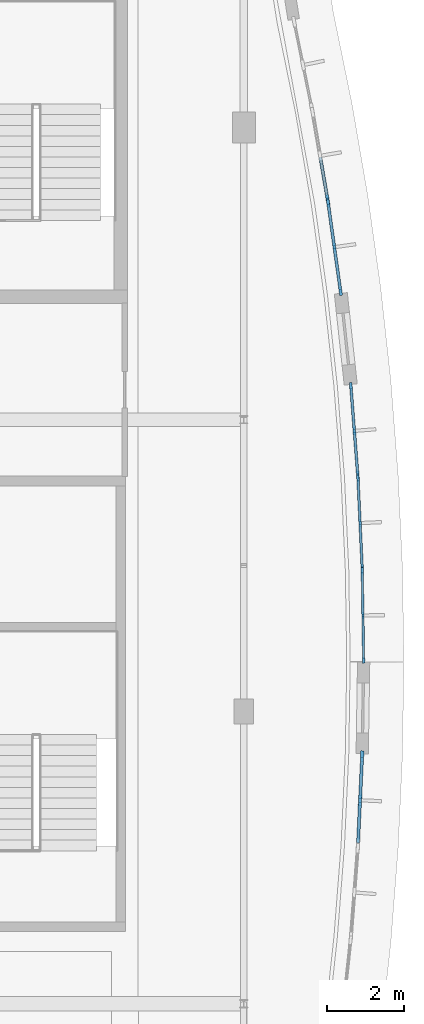
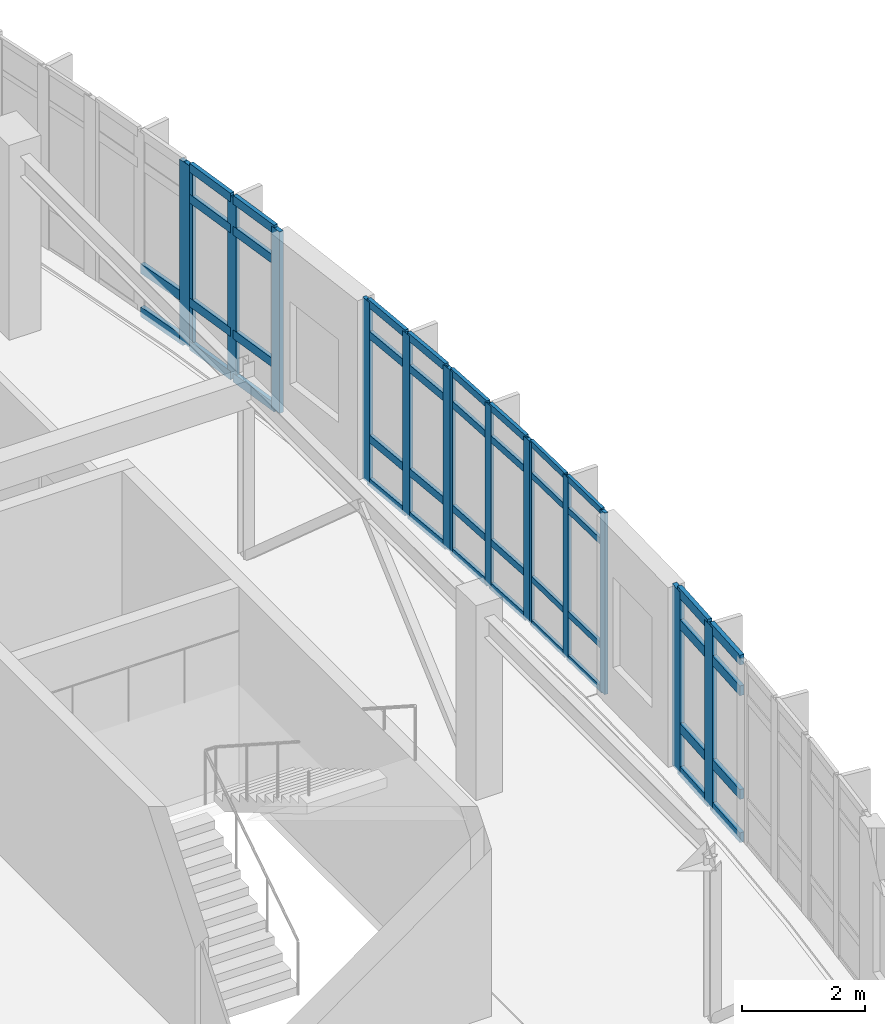
# One storey, part 53 of 111: 57 members, 6 elements without a shape of their own.
"""IFC4 building model written with IfcOpenShell, lengths in metres."""

from ifc_helpers import new_model, si_unit, direction, frame, origin, origin_2d, place, context, subcontext, project, spatial, rectangle, extrude, material, material_profile, profile_set, type_object, element, aggregate, save


model = new_model("IFC4")

# Units and contexts
model_context = context("Model", 3, precision=1e-05, world=origin(), true_north=direction((0.0, 1.0)))
body_context = subcontext(model_context, "Body", "Model", "MODEL_VIEW")
ifc_project = project(units=[si_unit("LENGTHUNIT", "METRE"), si_unit("AREAUNIT", "SQUARE_METRE"), si_unit("VOLUMEUNIT", "CUBIC_METRE"), si_unit("PLANEANGLEUNIT", "RADIAN"), si_unit("MASSUNIT", "GRAM", prefix="KILO")], contexts=[model_context])

# Site, building, storey
site_placement = place(None, origin())
site = spatial("IfcSite", under=ifc_project, at=site_placement, CompositionType="ELEMENT")
building_placement = place(site_placement, origin())
building = spatial("IfcBuilding", under=site, at=building_placement, Name="Corveleigh Park Community Centre", CompositionType="ELEMENT")
storey_placement = place(building_placement, frame((0.0, 0.0, 4.800048828125)))
storey = spatial("IfcBuildingStorey", under=building, at=storey_placement, Name="L01", CompositionType="ELEMENT", Elevation=4.800048828125)

# Curtain wall, members
ifc_material = material(Name="Anodised aluminium 6063-T6", Category="aluminium")
curtain_wall_type = type_object("IfcCurtainWallType", Name="CW-SYS-V4-L01", PredefinedType="NOTDEFINED", material=ifc_material)
curtain_wall_1_placement = place(storey_placement, origin())
curtain_wall_1 = element("IfcCurtainWall", 1, at=curtain_wall_1_placement, inside=storey, type_object=curtain_wall_type, Name="V4 L01 Curtain Wall 271", PredefinedType="NOTDEFINED")
ifc_material_profile_1 = material_profile(ifc_material, rectangle(XDim=0.06005859375, YDim=0.159912109375, at=origin_2d()), Name="ALU-M60x160", Category="aluminium")
ifc_profile_set_1 = profile_set([ifc_material_profile_1], Name="Anodised aluminium 6063-T6")
member_type_1 = type_object("IfcMemberType", Name="CWM-60x160", PredefinedType="MULLION", material=ifc_profile_set_1)
member_1_placement = place(storey_placement, frame((171.4814453125, 85.06494140625, 0.0), z_axis=(0.0, 0.0, 1.0), x_axis=(0.999879786219, 0.015505260721, 0.0)))
member_1 = element("IfcMember", 2, at=member_1_placement, type_object=member_type_1, Name="CW08 mullion 1", PredefinedType="MULLION", context=body_context, shape_type="SweptSolid", body=[
    extrude(rectangle(XDim=0.06005859375, YDim=0.159912109375, at=origin_2d()), origin(), (0.0, 0.0, 1.0), 3.612060546875),
])
member_2_placement = place(storey_placement, frame((171.49951171875, 83.902099609375, 0.0), z_axis=(0.0, 0.0, 1.0), x_axis=(0.999879786219, 0.015505260721, 0.0)))
member_2 = element("IfcMember", 3, at=member_2_placement, type_object=member_type_1, Name="CW08 mullion 2", PredefinedType="MULLION", context=body_context, shape_type="SweptSolid", body=[
    extrude(rectangle(XDim=0.06005859375, YDim=0.159912109375, at=origin_2d()), origin(), (0.0, 0.0, 1.0), 3.612060546875),
])
member_3_placement = place(storey_placement, frame((171.517578125, 82.739013671875, 0.0), z_axis=(0.0, 0.0, 1.0), x_axis=(0.999879786219, 0.015505260721, 0.0)))
member_3 = element("IfcMember", 4, at=member_3_placement, type_object=member_type_1, Name="CW08 mullion 3", PredefinedType="MULLION", context=body_context, shape_type="SweptSolid", body=[
    extrude(rectangle(XDim=0.06005859375, YDim=0.159912109375, at=origin_2d()), origin(), (0.0, 0.0, 1.0), 3.612060546875),
])

curtain_wall_2_placement = place(storey_placement, origin())
curtain_wall_2 = element("IfcCurtainWall", 5, at=curtain_wall_2_placement, inside=storey, type_object=curtain_wall_type, Name="V4 L01 Curtain Wall 272", PredefinedType="NOTDEFINED")
ifc_material_profile_2 = material_profile(ifc_material, rectangle(XDim=0.06494140625, YDim=0.179931640625, at=origin_2d()), Name="ALU-M65x180", Category="aluminium")
ifc_profile_set_2 = profile_set([ifc_material_profile_2], Name="Anodised aluminium 6063-T6")
member_type_2 = type_object("IfcMemberType", Name="CWM-65x180", PredefinedType="MULLION", material=ifc_profile_set_2)
member_4_placement = place(storey_placement, frame((171.37060546875, 87.464599609375, 0.0), z_axis=(0.0, 0.0, 1.0), x_axis=(0.9988982695, 0.046928106618, 0.0)))
member_4 = element("IfcMember", 6, at=member_4_placement, type_object=member_type_2, Name="CW08 mullion 1", PredefinedType="MULLION", context=body_context, shape_type="SweptSolid", body=[
    extrude(rectangle(XDim=0.06494140625, YDim=0.179931640625, at=origin_2d()), origin(), (0.0, 0.0, 1.0), 3.612060546875),
])
member_5_placement = place(storey_placement, frame((171.425048828125, 86.304931640625, 0.0), z_axis=(0.0, 0.0, 1.0), x_axis=(0.9988982695, 0.046928106618, 0.0)))
member_5 = element("IfcMember", 7, at=member_5_placement, type_object=member_type_2, Name="CW08 mullion 2", PredefinedType="MULLION", context=body_context, shape_type="SweptSolid", body=[
    extrude(rectangle(XDim=0.06494140625, YDim=0.179931640625, at=origin_2d()), origin(), (0.0, 0.0, 1.0), 3.612060546875),
])
member_6_placement = place(storey_placement, frame((171.4794921875, 85.1455078125, 0.0), z_axis=(0.0, 0.0, 1.0), x_axis=(0.9988982695, 0.046928106618, 0.0)))
member_6 = element("IfcMember", 8, at=member_6_placement, type_object=member_type_2, Name="CW08 mullion 3", PredefinedType="MULLION", context=body_context, shape_type="SweptSolid", body=[
    extrude(rectangle(XDim=0.06494140625, YDim=0.179931640625, at=origin_2d()), origin(), (0.0, 0.0, 1.0), 3.612060546875),
])

curtain_wall_3_placement = place(storey_placement, origin())
curtain_wall_3 = element("IfcCurtainWall", 9, at=curtain_wall_3_placement, inside=storey, type_object=curtain_wall_type, Name="V4 L01 Curtain Wall 273", PredefinedType="NOTDEFINED")
ifc_material_profile_3 = material_profile(ifc_material, rectangle(XDim=0.070068359375, YDim=0.199951171875, at=origin_2d()), Name="ALU-M70x200", Category="aluminium")
ifc_profile_set_3 = profile_set([ifc_material_profile_3], Name="Anodised aluminium 6063-T6")
member_type_3 = type_object("IfcMemberType", Name="CWM-70x200", PredefinedType="MULLION", material=ifc_profile_set_3)
member_7_placement = place(storey_placement, frame((171.186767578125, 89.859130859375, 0.0), z_axis=(0.0, 0.0, 1.0), x_axis=(0.997022350164, 0.077113119982, 0.0)))
member_7 = element("IfcMember", 10, at=member_7_placement, type_object=member_type_3, Name="CW08 mullion 1", PredefinedType="MULLION", context=body_context, shape_type="SweptSolid", body=[
    extrude(rectangle(XDim=0.070068359375, YDim=0.199951171875, at=origin_2d()), origin(), (0.0, 0.0, 1.0), 3.612060546875),
])
member_8_placement = place(storey_placement, frame((171.27587890625, 88.70458984375, 0.0), z_axis=(0.0, 0.0, 1.0), x_axis=(0.997022350164, 0.077113119982, 0.0)))
member_8 = element("IfcMember", 11, at=member_8_placement, type_object=member_type_3, Name="CW08 mullion 2", PredefinedType="MULLION", context=body_context, shape_type="SweptSolid", body=[
    extrude(rectangle(XDim=0.070068359375, YDim=0.199951171875, at=origin_2d()), origin(), (0.0, 0.0, 1.0), 3.612060546875),
])
member_9_placement = place(storey_placement, frame((171.365234375, 87.5498046875, 0.0), z_axis=(0.0, 0.0, 1.0), x_axis=(0.997022350164, 0.077113119982, 0.0)))
member_9 = element("IfcMember", 12, at=member_9_placement, type_object=member_type_3, Name="CW08 mullion 3", PredefinedType="MULLION", context=body_context, shape_type="SweptSolid", body=[
    extrude(rectangle(XDim=0.070068359375, YDim=0.199951171875, at=origin_2d()), origin(), (0.0, 0.0, 1.0), 3.612060546875),
])

curtain_wall_4_placement = place(storey_placement, origin())
curtain_wall_4 = element("IfcCurtainWall", 13, at=curtain_wall_4_placement, inside=storey, type_object=curtain_wall_type, Name="V4 L01 Curtain Wall 274", PredefinedType="NOTDEFINED")
ifc_material_profile_4 = material_profile(ifc_material, rectangle(XDim=0.074951171875, YDim=0.219970703125, at=origin_2d()), Name="ALU-M75x220", Category="aluminium")
ifc_profile_set_4 = profile_set([ifc_material_profile_4], Name="Anodised aluminium 6063-T6")
member_type_4 = type_object("IfcMemberType", Name="CWM-75x220", PredefinedType="MULLION", material=ifc_profile_set_4)
member_10_placement = place(storey_placement, frame((170.59521484375, 94.62890625, 0.0), z_axis=(0.0, 0.0, 1.0), x_axis=(0.990281834984, 0.139075113882, 0.0)))
member_10 = element("IfcMember", 14, at=member_10_placement, type_object=member_type_4, Name="CW08 mullion 1", PredefinedType="MULLION", context=body_context, shape_type="SweptSolid", body=[
    extrude(rectangle(XDim=0.074951171875, YDim=0.219970703125, at=origin_2d()), origin(), (0.0, 0.0, 1.0), 3.612060546875),
])
member_11_placement = place(storey_placement, frame((170.756103515625, 93.48388671875, 0.0), z_axis=(0.0, 0.0, 1.0), x_axis=(0.990281834984, 0.139075113882, 0.0)))
member_11 = element("IfcMember", 15, at=member_11_placement, type_object=member_type_4, Name="CW08 mullion 2", PredefinedType="MULLION", context=body_context, shape_type="SweptSolid", body=[
    extrude(rectangle(XDim=0.074951171875, YDim=0.219970703125, at=origin_2d()), origin(), (0.0, 0.0, 1.0), 3.612060546875),
])
member_12_placement = place(storey_placement, frame((170.916748046875, 92.339111328125, 0.0), z_axis=(0.0, 0.0, 1.0), x_axis=(0.990281834984, 0.139075113882, 0.0)))
member_12 = element("IfcMember", 16, at=member_12_placement, type_object=member_type_4, Name="CW08 mullion 3", PredefinedType="MULLION", context=body_context, shape_type="SweptSolid", body=[
    extrude(rectangle(XDim=0.074951171875, YDim=0.219970703125, at=origin_2d()), origin(), (0.0, 0.0, 1.0), 3.612060546875),
])

# Curtain wall, member
curtain_wall_5_placement = place(storey_placement, origin())
curtain_wall_5 = element("IfcCurtainWall", 17, at=curtain_wall_5_placement, inside=storey, type_object=curtain_wall_type, Name="V4 L01 Curtain Wall 275", PredefinedType="NOTDEFINED")
ifc_material_profile_5 = material_profile(ifc_material, rectangle(XDim=0.080078125, YDim=0.25, at=origin_2d()), Name="ALU-M80x250", Category="aluminium")
ifc_profile_set_5 = profile_set([ifc_material_profile_5], Name="Anodised aluminium 6063-T6")
member_type_5 = type_object("IfcMemberType", Name="CWM-80x250", PredefinedType="MULLION", material=ifc_profile_set_5)
member_13_placement = place(storey_placement, frame((170.580322265625, 94.723388671875, 0.0), z_axis=(0.0, 0.0, 1.0), x_axis=(0.985554357724, 0.16935940473, 0.0)))
member_13 = element("IfcMember", 18, at=member_13_placement, type_object=member_type_5, Name="CW08 mullion 3", PredefinedType="MULLION", context=body_context, shape_type="SweptSolid", body=[
    extrude(rectangle(XDim=0.080078125, YDim=0.25, at=origin_2d()), origin(), (0.0, 0.0, 1.0), 3.612060546875),
])

# Curtain wall, members
curtain_wall_6_placement = place(storey_placement, origin())
curtain_wall_6 = element("IfcCurtainWall", 19, at=curtain_wall_6_placement, inside=storey, type_object=curtain_wall_type, Name="V4 L01 Curtain Wall 270", PredefinedType="NOTDEFINED")
ifc_material_profile_6 = material_profile(ifc_material, rectangle(XDim=0.0849609375, YDim=0.27490234375, at=origin_2d()), Name="ALU-M85x275", Category="aluminium")
ifc_profile_set_6 = profile_set([ifc_material_profile_6], Name="Anodised aluminium 6063-T6")
member_type_6 = type_object("IfcMemberType", Name="CWM-85x275", PredefinedType="MULLION", material=ifc_profile_set_6)
member_14_placement = place(storey_placement, frame((171.47900390625, 80.24462890625, 0.0), z_axis=(0.0, 0.0, 1.0), x_axis=(0.9988982695, -0.046928106618, 0.0)))
member_14 = element("IfcMember", 20, at=member_14_placement, type_object=member_type_6, Name="CW08 mullion 1", PredefinedType="MULLION", context=body_context, shape_type="SweptSolid", body=[
    extrude(rectangle(XDim=0.0849609375, YDim=0.27490234375, at=origin_2d()), origin(), (0.0, 0.0, 1.0), 3.612060546875),
])
member_15_placement = place(storey_placement, frame((171.425048828125, 79.094970703125, 0.0), z_axis=(0.0, 0.0, 1.0), x_axis=(0.9988982695, -0.046928106618, 0.0)))
member_15 = element("IfcMember", 21, at=member_15_placement, type_object=member_type_6, Name="CW08 mullion 2", PredefinedType="MULLION", context=body_context, shape_type="SweptSolid", body=[
    extrude(rectangle(XDim=0.0849609375, YDim=0.27490234375, at=origin_2d()), origin(), (0.0, 0.0, 1.0), 3.612060546875),
])

# Member
ifc_material_profile_7 = material_profile(ifc_material, rectangle(XDim=0.06005859375, YDim=0.1201171875, at=origin_2d()), Name="ALU-T60x120", Category="aluminium")
ifc_profile_set_7 = profile_set([ifc_material_profile_7], Name="Anodised aluminium 6063-T6")
member_type_7 = type_object("IfcMemberType", Name="CWT-60x120", PredefinedType="USERDEFINED", material=ifc_profile_set_7)
member_16_placement = place(storey_placement, frame((171.48193359375, 85.034912109375, 0.030029296875), z_axis=(0.01549172194, -0.999879996075, 0.0), x_axis=(0.999879996075, 0.01549172194, 0.0)))
member_16 = element("IfcMember", 22, at=member_16_placement, type_object=member_type_7, Name="CW08 transom 1.1", ObjectType="TRANSOM", PredefinedType="USERDEFINED", context=body_context, shape_type="SweptSolid", body=[
    extrude(rectangle(XDim=0.06005859375, YDim=0.1201171875, at=origin_2d()), origin(), (0.0, 0.0, 1.0), 1.103271484375),
])

member_17_placement = place(storey_placement, frame((171.48193359375, 85.034912109375, 0.89990234375), z_axis=(0.01549172194, -0.999879996075, 0.0), x_axis=(0.999879996075, 0.01549172194, 0.0)))
member_17 = element("IfcMember", 23, at=member_17_placement, type_object=member_type_7, Name="CW08 transom 1.2", ObjectType="TRANSOM", PredefinedType="USERDEFINED", context=body_context, shape_type="SweptSolid", body=[
    extrude(rectangle(XDim=0.06005859375, YDim=0.1201171875, at=origin_2d()), origin(), (0.0, 0.0, 1.0), 1.103271484375),
])

member_18_placement = place(storey_placement, frame((171.48193359375, 85.034912109375, 2.9619140625), z_axis=(0.01549172194, -0.999879996075, 0.0), x_axis=(0.999879996075, 0.01549172194, 0.0)))
member_18 = element("IfcMember", 24, at=member_18_placement, type_object=member_type_7, Name="CW08 transom 1.3", ObjectType="TRANSOM", PredefinedType="USERDEFINED", context=body_context, shape_type="SweptSolid", body=[
    extrude(rectangle(XDim=0.06005859375, YDim=0.1201171875, at=origin_2d()), origin(), (0.0, 0.0, 1.0), 1.103271484375),
])

member_19_placement = place(storey_placement, frame((171.48193359375, 85.034912109375, 3.58203125), z_axis=(0.01549172194, -0.999879996075, 0.0), x_axis=(0.999879996075, 0.01549172194, 0.0)))
member_19 = element("IfcMember", 25, at=member_19_placement, type_object=member_type_7, Name="CW08 transom 1.4", ObjectType="TRANSOM", PredefinedType="USERDEFINED", context=body_context, shape_type="SweptSolid", body=[
    extrude(rectangle(XDim=0.06005859375, YDim=0.1201171875, at=origin_2d()), origin(), (0.0, 0.0, 1.0), 1.103271484375),
])

member_20_placement = place(storey_placement, frame((171.5, 83.8720703125, 0.030029296875), z_axis=(0.01549172194, -0.999879996075, 0.0), x_axis=(0.999879996075, 0.01549172194, 0.0)))
member_20 = element("IfcMember", 26, at=member_20_placement, type_object=member_type_7, Name="CW08 transom 2.1", ObjectType="TRANSOM", PredefinedType="USERDEFINED", context=body_context, shape_type="SweptSolid", body=[
    extrude(rectangle(XDim=0.06005859375, YDim=0.1201171875, at=origin_2d()), origin(), (0.0, 0.0, 1.0), 1.103271484375),
])

member_21_placement = place(storey_placement, frame((171.5, 83.8720703125, 0.89990234375), z_axis=(0.01549172194, -0.999879996075, 0.0), x_axis=(0.999879996075, 0.01549172194, 0.0)))
member_21 = element("IfcMember", 27, at=member_21_placement, type_object=member_type_7, Name="CW08 transom 2.2", ObjectType="TRANSOM", PredefinedType="USERDEFINED", context=body_context, shape_type="SweptSolid", body=[
    extrude(rectangle(XDim=0.06005859375, YDim=0.1201171875, at=origin_2d()), origin(), (0.0, 0.0, 1.0), 1.103271484375),
])

member_22_placement = place(storey_placement, frame((171.5, 83.8720703125, 2.9619140625), z_axis=(0.01549172194, -0.999879996075, 0.0), x_axis=(0.999879996075, 0.01549172194, 0.0)))
member_22 = element("IfcMember", 28, at=member_22_placement, type_object=member_type_7, Name="CW08 transom 2.3", ObjectType="TRANSOM", PredefinedType="USERDEFINED", context=body_context, shape_type="SweptSolid", body=[
    extrude(rectangle(XDim=0.06005859375, YDim=0.1201171875, at=origin_2d()), origin(), (0.0, 0.0, 1.0), 1.103271484375),
])

member_23_placement = place(storey_placement, frame((171.5, 83.8720703125, 3.58203125), z_axis=(0.01549172194, -0.999879996075, 0.0), x_axis=(0.999879996075, 0.01549172194, 0.0)))
member_23 = element("IfcMember", 29, at=member_23_placement, type_object=member_type_7, Name="CW08 transom 2.4", ObjectType="TRANSOM", PredefinedType="USERDEFINED", context=body_context, shape_type="SweptSolid", body=[
    extrude(rectangle(XDim=0.06005859375, YDim=0.1201171875, at=origin_2d()), origin(), (0.0, 0.0, 1.0), 1.103271484375),
])

aggregate(curtain_wall_1, [member_1, member_2, member_3, member_16, member_17, member_18, member_19, member_20, member_21, member_22, member_23])

ifc_material_profile_8 = material_profile(ifc_material, rectangle(XDim=0.06494140625, YDim=0.139892578125, at=origin_2d()), Name="ALU-T65x140", Category="aluminium")
ifc_profile_set_8 = profile_set([ifc_material_profile_8], Name="Anodised aluminium 6063-T6")
member_type_8 = type_object("IfcMemberType", Name="CWT-65x140", PredefinedType="USERDEFINED", material=ifc_profile_set_8)
member_24_placement = place(storey_placement, frame((171.3720703125, 87.43212890625, 0.032470703125), z_axis=(0.047004188241, -0.998894692291, 0.0), x_axis=(0.998894692291, 0.047004188241, 0.0)))
member_24 = element("IfcMember", 30, at=member_24_placement, type_object=member_type_8, Name="CW08 transom 1.1", ObjectType="TRANSOM", PredefinedType="USERDEFINED", context=body_context, shape_type="SweptSolid", body=[
    extrude(rectangle(XDim=0.06494140625, YDim=0.139892578125, at=origin_2d()), origin(), (0.0, 0.0, 1.0), 1.095947265625),
])

member_25_placement = place(storey_placement, frame((171.3720703125, 87.43212890625, 0.89990234375), z_axis=(0.047004188241, -0.998894692291, 0.0), x_axis=(0.998894692291, 0.047004188241, 0.0)))
member_25 = element("IfcMember", 31, at=member_25_placement, type_object=member_type_8, Name="CW08 transom 1.2", ObjectType="TRANSOM", PredefinedType="USERDEFINED", context=body_context, shape_type="SweptSolid", body=[
    extrude(rectangle(XDim=0.06494140625, YDim=0.139892578125, at=origin_2d()), origin(), (0.0, 0.0, 1.0), 1.095947265625),
])

member_26_placement = place(storey_placement, frame((171.3720703125, 87.43212890625, 2.9619140625), z_axis=(0.047004188241, -0.998894692291, 0.0), x_axis=(0.998894692291, 0.047004188241, 0.0)))
member_26 = element("IfcMember", 32, at=member_26_placement, type_object=member_type_8, Name="CW08 transom 1.3", ObjectType="TRANSOM", PredefinedType="USERDEFINED", context=body_context, shape_type="SweptSolid", body=[
    extrude(rectangle(XDim=0.06494140625, YDim=0.139892578125, at=origin_2d()), origin(), (0.0, 0.0, 1.0), 1.095947265625),
])

member_27_placement = place(storey_placement, frame((171.3720703125, 87.43212890625, 3.579345703125), z_axis=(0.047004188241, -0.998894692291, 0.0), x_axis=(0.998894692291, 0.047004188241, 0.0)))
member_27 = element("IfcMember", 33, at=member_27_placement, type_object=member_type_8, Name="CW08 transom 1.4", ObjectType="TRANSOM", PredefinedType="USERDEFINED", context=body_context, shape_type="SweptSolid", body=[
    extrude(rectangle(XDim=0.06494140625, YDim=0.139892578125, at=origin_2d()), origin(), (0.0, 0.0, 1.0), 1.095947265625),
])

member_28_placement = place(storey_placement, frame((171.426513671875, 86.2724609375, 0.032470703125), z_axis=(0.047014650053, -0.998894199943, 0.0), x_axis=(0.998894199943, 0.047014650053, 0.0)))
member_28 = element("IfcMember", 34, at=member_28_placement, type_object=member_type_8, Name="CW08 transom 2.1", ObjectType="TRANSOM", PredefinedType="USERDEFINED", context=body_context, shape_type="SweptSolid", body=[
    extrude(rectangle(XDim=0.06494140625, YDim=0.139892578125, at=origin_2d()), origin(), (0.0, 0.0, 1.0), 1.095703125),
])

member_29_placement = place(storey_placement, frame((171.426513671875, 86.2724609375, 0.89990234375), z_axis=(0.047014650053, -0.998894199943, 0.0), x_axis=(0.998894199943, 0.047014650053, 0.0)))
member_29 = element("IfcMember", 35, at=member_29_placement, type_object=member_type_8, Name="CW08 transom 2.2", ObjectType="TRANSOM", PredefinedType="USERDEFINED", context=body_context, shape_type="SweptSolid", body=[
    extrude(rectangle(XDim=0.06494140625, YDim=0.139892578125, at=origin_2d()), origin(), (0.0, 0.0, 1.0), 1.095703125),
])

member_30_placement = place(storey_placement, frame((171.426513671875, 86.2724609375, 2.9619140625), z_axis=(0.047014650053, -0.998894199943, 0.0), x_axis=(0.998894199943, 0.047014650053, 0.0)))
member_30 = element("IfcMember", 36, at=member_30_placement, type_object=member_type_8, Name="CW08 transom 2.3", ObjectType="TRANSOM", PredefinedType="USERDEFINED", context=body_context, shape_type="SweptSolid", body=[
    extrude(rectangle(XDim=0.06494140625, YDim=0.139892578125, at=origin_2d()), origin(), (0.0, 0.0, 1.0), 1.095703125),
])

member_31_placement = place(storey_placement, frame((171.426513671875, 86.2724609375, 3.579345703125), z_axis=(0.047014650053, -0.998894199943, 0.0), x_axis=(0.998894199943, 0.047014650053, 0.0)))
member_31 = element("IfcMember", 37, at=member_31_placement, type_object=member_type_8, Name="CW08 transom 2.4", ObjectType="TRANSOM", PredefinedType="USERDEFINED", context=body_context, shape_type="SweptSolid", body=[
    extrude(rectangle(XDim=0.06494140625, YDim=0.139892578125, at=origin_2d()), origin(), (0.0, 0.0, 1.0), 1.095703125),
])

aggregate(curtain_wall_2, [member_4, member_5, member_6, member_24, member_25, member_26, member_27, member_28, member_29, member_30, member_31])

ifc_material_profile_9 = material_profile(ifc_material, rectangle(XDim=0.070068359375, YDim=0.155029296875, at=origin_2d()), Name="ALU-T70x155", Category="aluminium")
ifc_profile_set_9 = profile_set([ifc_material_profile_9], Name="Anodised aluminium 6063-T6")
member_type_9 = type_object("IfcMemberType", Name="CWT-70x155", PredefinedType="USERDEFINED", material=ifc_profile_set_9)
member_32_placement = place(storey_placement, frame((171.189453125, 89.82421875, 0.034912109375), z_axis=(0.076971062621, -0.997033327186, 0.0), x_axis=(0.997033327186, 0.076971062621, 0.0)))
member_32 = element("IfcMember", 38, at=member_32_placement, type_object=member_type_9, Name="CW08 transom 1.1", ObjectType="TRANSOM", PredefinedType="USERDEFINED", context=body_context, shape_type="SweptSolid", body=[
    extrude(rectangle(XDim=0.070068359375, YDim=0.155029296875, at=origin_2d()), origin(), (0.0, 0.0, 1.0), 1.087890625),
])

member_33_placement = place(storey_placement, frame((171.189453125, 89.82421875, 0.89990234375), z_axis=(0.076971062621, -0.997033327186, 0.0), x_axis=(0.997033327186, 0.076971062621, 0.0)))
member_33 = element("IfcMember", 39, at=member_33_placement, type_object=member_type_9, Name="CW08 transom 1.2", ObjectType="TRANSOM", PredefinedType="USERDEFINED", context=body_context, shape_type="SweptSolid", body=[
    extrude(rectangle(XDim=0.070068359375, YDim=0.155029296875, at=origin_2d()), origin(), (0.0, 0.0, 1.0), 1.087890625),
])

member_34_placement = place(storey_placement, frame((171.189453125, 89.82421875, 2.9619140625), z_axis=(0.076971062621, -0.997033327186, 0.0), x_axis=(0.997033327186, 0.076971062621, 0.0)))
member_34 = element("IfcMember", 40, at=member_34_placement, type_object=member_type_9, Name="CW08 transom 1.3", ObjectType="TRANSOM", PredefinedType="USERDEFINED", context=body_context, shape_type="SweptSolid", body=[
    extrude(rectangle(XDim=0.070068359375, YDim=0.155029296875, at=origin_2d()), origin(), (0.0, 0.0, 1.0), 1.087890625),
])

member_35_placement = place(storey_placement, frame((171.189453125, 89.82421875, 3.576904296875), z_axis=(0.076971062621, -0.997033327186, 0.0), x_axis=(0.997033327186, 0.076971062621, 0.0)))
member_35 = element("IfcMember", 41, at=member_35_placement, type_object=member_type_9, Name="CW08 transom 1.4", ObjectType="TRANSOM", PredefinedType="USERDEFINED", context=body_context, shape_type="SweptSolid", body=[
    extrude(rectangle(XDim=0.070068359375, YDim=0.155029296875, at=origin_2d()), origin(), (0.0, 0.0, 1.0), 1.087890625),
])

member_36_placement = place(storey_placement, frame((171.27880859375, 88.669677734375, 0.034912109375), z_axis=(0.07695384498, -0.99703465624, 0.0), x_axis=(0.99703465624, 0.07695384498, 0.0)))
member_36 = element("IfcMember", 42, at=member_36_placement, type_object=member_type_9, Name="CW08 transom 2.1", ObjectType="TRANSOM", PredefinedType="USERDEFINED", context=body_context, shape_type="SweptSolid", body=[
    extrude(rectangle(XDim=0.070068359375, YDim=0.155029296875, at=origin_2d()), origin(), (0.0, 0.0, 1.0), 1.088134765625),
])

member_37_placement = place(storey_placement, frame((171.27880859375, 88.669677734375, 0.89990234375), z_axis=(0.07695384498, -0.99703465624, 0.0), x_axis=(0.99703465624, 0.07695384498, 0.0)))
member_37 = element("IfcMember", 43, at=member_37_placement, type_object=member_type_9, Name="CW08 transom 2.2", ObjectType="TRANSOM", PredefinedType="USERDEFINED", context=body_context, shape_type="SweptSolid", body=[
    extrude(rectangle(XDim=0.070068359375, YDim=0.155029296875, at=origin_2d()), origin(), (0.0, 0.0, 1.0), 1.088134765625),
])

member_38_placement = place(storey_placement, frame((171.27880859375, 88.669677734375, 2.9619140625), z_axis=(0.07695384498, -0.99703465624, 0.0), x_axis=(0.99703465624, 0.07695384498, 0.0)))
member_38 = element("IfcMember", 44, at=member_38_placement, type_object=member_type_9, Name="CW08 transom 2.3", ObjectType="TRANSOM", PredefinedType="USERDEFINED", context=body_context, shape_type="SweptSolid", body=[
    extrude(rectangle(XDim=0.070068359375, YDim=0.155029296875, at=origin_2d()), origin(), (0.0, 0.0, 1.0), 1.088134765625),
])

member_39_placement = place(storey_placement, frame((171.27880859375, 88.669677734375, 3.576904296875), z_axis=(0.07695384498, -0.99703465624, 0.0), x_axis=(0.99703465624, 0.07695384498, 0.0)))
member_39 = element("IfcMember", 45, at=member_39_placement, type_object=member_type_9, Name="CW08 transom 2.4", ObjectType="TRANSOM", PredefinedType="USERDEFINED", context=body_context, shape_type="SweptSolid", body=[
    extrude(rectangle(XDim=0.070068359375, YDim=0.155029296875, at=origin_2d()), origin(), (0.0, 0.0, 1.0), 1.088134765625),
])

aggregate(curtain_wall_3, [member_7, member_8, member_9, member_32, member_33, member_34, member_35, member_36, member_37, member_38, member_39])

ifc_material_profile_10 = material_profile(ifc_material, rectangle(XDim=0.074951171875, YDim=0.175048828125, at=origin_2d()), Name="ALU-T75x175", Category="aluminium")
ifc_profile_set_10 = profile_set([ifc_material_profile_10], Name="Anodised aluminium 6063-T6")
member_type_10 = type_object("IfcMemberType", Name="CWT-75x175", PredefinedType="USERDEFINED", material=ifc_profile_set_10)
member_40_placement = place(storey_placement, frame((170.600341796875, 94.591796875, 0.037353515625), z_axis=(0.139112961384, -0.990276518946, 0.0), x_axis=(0.990276518946, 0.139112961384, 0.0)))
member_40 = element("IfcMember", 46, at=member_40_placement, type_object=member_type_10, Name="CW08 transom 1.1", ObjectType="TRANSOM", PredefinedType="USERDEFINED", context=body_context, shape_type="SweptSolid", body=[
    extrude(rectangle(XDim=0.074951171875, YDim=0.175048828125, at=origin_2d()), origin(), (0.0, 0.0, 1.0), 1.0810546875),
])

member_41_placement = place(storey_placement, frame((170.600341796875, 94.591796875, 0.89990234375), z_axis=(0.139112961384, -0.990276518946, 0.0), x_axis=(0.990276518946, 0.139112961384, 0.0)))
member_41 = element("IfcMember", 47, at=member_41_placement, type_object=member_type_10, Name="CW08 transom 1.2", ObjectType="TRANSOM", PredefinedType="USERDEFINED", context=body_context, shape_type="SweptSolid", body=[
    extrude(rectangle(XDim=0.074951171875, YDim=0.175048828125, at=origin_2d()), origin(), (0.0, 0.0, 1.0), 1.0810546875),
])

member_42_placement = place(storey_placement, frame((170.600341796875, 94.591796875, 2.9619140625), z_axis=(0.139112961384, -0.990276518946, 0.0), x_axis=(0.990276518946, 0.139112961384, 0.0)))
member_42 = element("IfcMember", 48, at=member_42_placement, type_object=member_type_10, Name="CW08 transom 1.3", ObjectType="TRANSOM", PredefinedType="USERDEFINED", context=body_context, shape_type="SweptSolid", body=[
    extrude(rectangle(XDim=0.074951171875, YDim=0.175048828125, at=origin_2d()), origin(), (0.0, 0.0, 1.0), 1.0810546875),
])

member_43_placement = place(storey_placement, frame((170.600341796875, 94.591796875, 3.574462890625), z_axis=(0.139112961384, -0.990276518946, 0.0), x_axis=(0.990276518946, 0.139112961384, 0.0)))
member_43 = element("IfcMember", 49, at=member_43_placement, type_object=member_type_10, Name="CW08 transom 1.4", ObjectType="TRANSOM", PredefinedType="USERDEFINED", context=body_context, shape_type="SweptSolid", body=[
    extrude(rectangle(XDim=0.074951171875, YDim=0.175048828125, at=origin_2d()), origin(), (0.0, 0.0, 1.0), 1.0810546875),
])

member_44_placement = place(storey_placement, frame((170.76123046875, 93.44677734375, 0.037353515625), z_axis=(0.139112961384, -0.990276518946, 0.0), x_axis=(0.990276518946, 0.139112961384, 0.0)))
member_44 = element("IfcMember", 50, at=member_44_placement, type_object=member_type_10, Name="CW08 transom 2.1", ObjectType="TRANSOM", PredefinedType="USERDEFINED", context=body_context, shape_type="SweptSolid", body=[
    extrude(rectangle(XDim=0.074951171875, YDim=0.175048828125, at=origin_2d()), origin(), (0.0, 0.0, 1.0), 1.0810546875),
])

member_45_placement = place(storey_placement, frame((170.76123046875, 93.44677734375, 0.89990234375), z_axis=(0.139112961384, -0.990276518946, 0.0), x_axis=(0.990276518946, 0.139112961384, 0.0)))
member_45 = element("IfcMember", 51, at=member_45_placement, type_object=member_type_10, Name="CW08 transom 2.2", ObjectType="TRANSOM", PredefinedType="USERDEFINED", context=body_context, shape_type="SweptSolid", body=[
    extrude(rectangle(XDim=0.074951171875, YDim=0.175048828125, at=origin_2d()), origin(), (0.0, 0.0, 1.0), 1.0810546875),
])

member_46_placement = place(storey_placement, frame((170.76123046875, 93.44677734375, 2.9619140625), z_axis=(0.139112961384, -0.990276518946, 0.0), x_axis=(0.990276518946, 0.139112961384, 0.0)))
member_46 = element("IfcMember", 52, at=member_46_placement, type_object=member_type_10, Name="CW08 transom 2.3", ObjectType="TRANSOM", PredefinedType="USERDEFINED", context=body_context, shape_type="SweptSolid", body=[
    extrude(rectangle(XDim=0.074951171875, YDim=0.175048828125, at=origin_2d()), origin(), (0.0, 0.0, 1.0), 1.0810546875),
])

member_47_placement = place(storey_placement, frame((170.76123046875, 93.44677734375, 3.574462890625), z_axis=(0.139112961384, -0.990276518946, 0.0), x_axis=(0.990276518946, 0.139112961384, 0.0)))
member_47 = element("IfcMember", 53, at=member_47_placement, type_object=member_type_10, Name="CW08 transom 2.4", ObjectType="TRANSOM", PredefinedType="USERDEFINED", context=body_context, shape_type="SweptSolid", body=[
    extrude(rectangle(XDim=0.074951171875, YDim=0.175048828125, at=origin_2d()), origin(), (0.0, 0.0, 1.0), 1.0810546875),
])

aggregate(curtain_wall_4, [member_10, member_11, member_12, member_40, member_41, member_42, member_43, member_44, member_45, member_46, member_47])

ifc_material_profile_11 = material_profile(ifc_material, rectangle(XDim=0.080078125, YDim=0.195068359375, at=origin_2d()), Name="ALU-T80x195", Category="aluminium")
ifc_profile_set_11 = profile_set([ifc_material_profile_11], Name="Anodised aluminium 6063-T6")
member_type_11 = type_object("IfcMemberType", Name="CWT-80x195", PredefinedType="USERDEFINED", material=ifc_profile_set_11)
member_48_placement = place(storey_placement, frame((171.47705078125, 80.2021484375, 0.0400390625), z_axis=(-0.04695571641, -0.998896972013, 0.0), x_axis=(0.998896972013, -0.04695571641, 0.0)))
member_48 = element("IfcMember", 54, at=member_48_placement, type_object=member_type_11, Name="CW08 transom 1.1", ObjectType="TRANSOM", PredefinedType="USERDEFINED", context=body_context, shape_type="SweptSolid", body=[
    extrude(rectangle(XDim=0.080078125, YDim=0.195068359375, at=origin_2d()), origin(), (0.0, 0.0, 1.0), 1.06591796875),
])

member_49_placement = place(storey_placement, frame((171.47705078125, 80.2021484375, 0.89990234375), z_axis=(-0.04695571641, -0.998896972013, 0.0), x_axis=(0.998896972013, -0.04695571641, 0.0)))
member_49 = element("IfcMember", 55, at=member_49_placement, type_object=member_type_11, Name="CW08 transom 1.2", ObjectType="TRANSOM", PredefinedType="USERDEFINED", context=body_context, shape_type="SweptSolid", body=[
    extrude(rectangle(XDim=0.080078125, YDim=0.195068359375, at=origin_2d()), origin(), (0.0, 0.0, 1.0), 1.06591796875),
])

member_50_placement = place(storey_placement, frame((171.47705078125, 80.2021484375, 2.9619140625), z_axis=(-0.04695571641, -0.998896972013, 0.0), x_axis=(0.998896972013, -0.04695571641, 0.0)))
member_50 = element("IfcMember", 56, at=member_50_placement, type_object=member_type_11, Name="CW08 transom 1.3", ObjectType="TRANSOM", PredefinedType="USERDEFINED", context=body_context, shape_type="SweptSolid", body=[
    extrude(rectangle(XDim=0.080078125, YDim=0.195068359375, at=origin_2d()), origin(), (0.0, 0.0, 1.0), 1.06591796875),
])

member_51_placement = place(storey_placement, frame((171.47705078125, 80.2021484375, 3.572021484375), z_axis=(-0.04695571641, -0.998896972013, 0.0), x_axis=(0.998896972013, -0.04695571641, 0.0)))
member_51 = element("IfcMember", 57, at=member_51_placement, type_object=member_type_11, Name="CW08 transom 1.4", ObjectType="TRANSOM", PredefinedType="USERDEFINED", context=body_context, shape_type="SweptSolid", body=[
    extrude(rectangle(XDim=0.080078125, YDim=0.195068359375, at=origin_2d()), origin(), (0.0, 0.0, 1.0), 1.06591796875),
])

member_52_placement = place(storey_placement, frame((171.423095703125, 79.052490234375, 0.0400390625), z_axis=(-0.04695571641, -0.998896972013, 0.0), x_axis=(0.998896972013, -0.04695571641, 0.0)))
member_52 = element("IfcMember", 58, at=member_52_placement, type_object=member_type_11, Name="CW08 transom 2.1", ObjectType="TRANSOM", PredefinedType="USERDEFINED", context=body_context, shape_type="SweptSolid", body=[
    extrude(rectangle(XDim=0.080078125, YDim=0.195068359375, at=origin_2d()), origin(), (0.0, 0.0, 1.0), 1.06591796875),
])

member_53_placement = place(storey_placement, frame((171.423095703125, 79.052490234375, 0.89990234375), z_axis=(-0.04695571641, -0.998896972013, 0.0), x_axis=(0.998896972013, -0.04695571641, 0.0)))
member_53 = element("IfcMember", 59, at=member_53_placement, type_object=member_type_11, Name="CW08 transom 2.2", ObjectType="TRANSOM", PredefinedType="USERDEFINED", context=body_context, shape_type="SweptSolid", body=[
    extrude(rectangle(XDim=0.080078125, YDim=0.195068359375, at=origin_2d()), origin(), (0.0, 0.0, 1.0), 1.06591796875),
])

member_54_placement = place(storey_placement, frame((171.423095703125, 79.052490234375, 2.9619140625), z_axis=(-0.04695571641, -0.998896972013, 0.0), x_axis=(0.998896972013, -0.04695571641, 0.0)))
member_54 = element("IfcMember", 60, at=member_54_placement, type_object=member_type_11, Name="CW08 transom 2.3", ObjectType="TRANSOM", PredefinedType="USERDEFINED", context=body_context, shape_type="SweptSolid", body=[
    extrude(rectangle(XDim=0.080078125, YDim=0.195068359375, at=origin_2d()), origin(), (0.0, 0.0, 1.0), 1.06591796875),
])

member_55_placement = place(storey_placement, frame((171.423095703125, 79.052490234375, 3.572021484375), z_axis=(-0.04695571641, -0.998896972013, 0.0), x_axis=(0.998896972013, -0.04695571641, 0.0)))
member_55 = element("IfcMember", 61, at=member_55_placement, type_object=member_type_11, Name="CW08 transom 2.4", ObjectType="TRANSOM", PredefinedType="USERDEFINED", context=body_context, shape_type="SweptSolid", body=[
    extrude(rectangle(XDim=0.080078125, YDim=0.195068359375, at=origin_2d()), origin(), (0.0, 0.0, 1.0), 1.06591796875),
])

aggregate(curtain_wall_6, [member_14, member_15, member_48, member_49, member_50, member_51, member_52, member_53, member_54, member_55])

member_56_placement = place(storey_placement, frame((170.391845703125, 95.820068359375, 0.0400390625), z_axis=(0.169342854053, -0.985557201679, 0.0), x_axis=(0.985557201679, 0.169342854053, 0.0)))
member_56 = element("IfcMember", 62, at=member_56_placement, type_object=member_type_11, Name="CW08 transom 2.1", ObjectType="TRANSOM", PredefinedType="USERDEFINED", context=body_context, shape_type="SweptSolid", body=[
    extrude(rectangle(XDim=0.080078125, YDim=0.195068359375, at=origin_2d()), origin(), (0.0, 0.0, 1.0), 1.072509765625),
])

member_57_placement = place(storey_placement, frame((170.391845703125, 95.820068359375, 0.89990234375), z_axis=(0.169342854053, -0.985557201679, 0.0), x_axis=(0.985557201679, 0.169342854053, 0.0)))
member_57 = element("IfcMember", 63, at=member_57_placement, type_object=member_type_11, Name="CW08 transom 2.2", ObjectType="TRANSOM", PredefinedType="USERDEFINED", context=body_context, shape_type="SweptSolid", body=[
    extrude(rectangle(XDim=0.080078125, YDim=0.195068359375, at=origin_2d()), origin(), (0.0, 0.0, 1.0), 1.072509765625),
])

aggregate(curtain_wall_5, [member_13, member_56, member_57])

save(model, "model.ifc")
